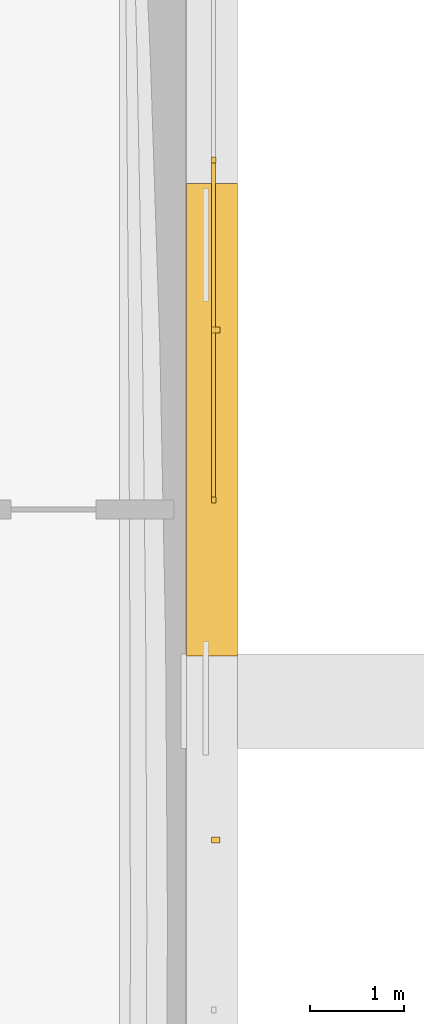
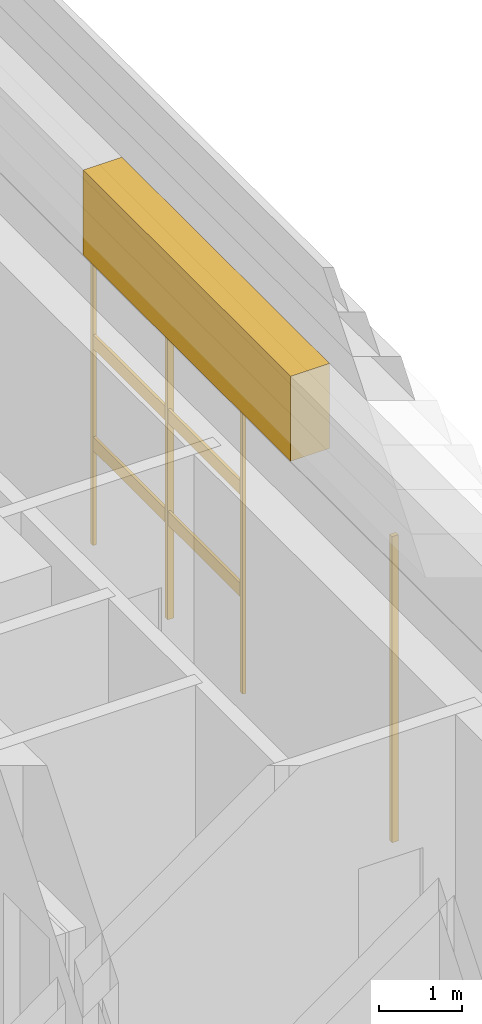
# One storey, part 25 of 29: 7 coverings.
"""IFC4 building model written with IfcOpenShell, lengths in metres."""

from ifc_helpers import new_model, si_unit, direction, frame, origin, origin_2d, place, context, subcontext, project, spatial, polyline, rectangle, outline, extrude, material, type_object, element, save


model = new_model("IFC4")

# Units and contexts
model_context = context("Model", 3, precision=1e-05, world=origin(), true_north=direction((0.0, 1.0)))
body_context = subcontext(model_context, "Body", "Model", "MODEL_VIEW")
ifc_project = project(units=[si_unit("LENGTHUNIT", "METRE"), si_unit("AREAUNIT", "SQUARE_METRE"), si_unit("VOLUMEUNIT", "CUBIC_METRE"), si_unit("PLANEANGLEUNIT", "RADIAN"), si_unit("MASSUNIT", "GRAM", prefix="KILO")], contexts=[model_context])

# Site, building, storey
site_placement = place(None, origin())
site = spatial("IfcSite", under=ifc_project, at=site_placement, CompositionType="ELEMENT")
building_placement = place(site_placement, origin())
building = spatial("IfcBuilding", under=site, at=building_placement, Name="Cobrizo Arcos Hotel Tower", CompositionType="ELEMENT")
storey_placement = place(building_placement, frame((0.0, 0.0, 186.5)))
storey = spatial("IfcBuildingStorey", under=building, at=storey_placement, Name="L48", CompositionType="ELEMENT", Elevation=186.5)

# Coverings
ifc_material = material(Name="Aluminium 6063-T6 anodised pale", Category="aluminium")
covering_type_1 = type_object("IfcCoveringType", Name="LF-1 setback skirt", PredefinedType="CLADDING", material=ifc_material)
covering_placement = place(storey_placement, frame((0.0, 0.0, 4.5)))
element("IfcCovering", 1, at=covering_placement, inside=storey, type_object=covering_type_1, Name="Setback skirt L48", PredefinedType="CLADDING", context=body_context, shape_type="SweptSolid", body=[
    extrude(outline(polyline([(22.14990234375, 2.85009765625), (22.14990234375, 7.85009765625), (21.610107421875, 7.85009765625), (21.610107421875, 2.85009765625), (22.14990234375, 2.85009765625)])), origin(), (0.0, 0.0, 1.0), 1.25),
])
covering_type_2 = type_object("IfcCoveringType", Name="RS-1 rainscreen rib 60x90", PredefinedType="CLADDING", material=ifc_material)
for number, where, z_axis, x_axis, name in (
    (2, (21.919921875, 0.89990234375, 0.0), (0.0, 0.0, 1.0), (0.0, 1.0, 0.0), "Rainscreen rib 66"),
    (3, (21.919921875, 6.300048828125, 0.0), (0.0, 0.0, 1.0), (0.0, 1.0, 0.0), "Rainscreen rib 68"),
):
    element("IfcCovering", number, at=place(storey_placement, frame(where, z_axis=z_axis, x_axis=x_axis)), inside=storey, type_object=covering_type_2, Name=name, PredefinedType="CLADDING", context=body_context, shape_type="SweptSolid", body=[
        extrude(rectangle(XDim=0.06005859375, YDim=0.090087890625, at=origin_2d()), origin(), (0.0, 0.0, 1.0), 4.5),
    ])
covering_type_3 = type_object("IfcCoveringType", Name="RS-2 rainscreen rib 60x50", PredefinedType="CLADDING", material=ifc_material)
for number, where, z_axis, x_axis, name in (
    (4, (21.89990234375, 4.5, 0.0), (0.0, 0.0, 1.0), (0.0, 1.0, 0.0), "Rainscreen rib 67"),
    (5, (21.89990234375, 8.10009765625, 0.0), (0.0, 0.0, 1.0), (0.0, 1.0, 0.0), "Rainscreen rib 69"),
):
    element("IfcCovering", number, at=place(storey_placement, frame(where, z_axis=z_axis, x_axis=x_axis)), inside=storey, type_object=covering_type_3, Name=name, PredefinedType="CLADDING", context=body_context, shape_type="SweptSolid", body=[
        extrude(rectangle(XDim=0.06005859375, YDim=0.050048828125, at=origin_2d()), origin(), (0.0, 0.0, 1.0), 4.5),
    ])
covering_type_4 = type_object("IfcCoveringType", Name="RS-3 rainscreen louvre slat 200x40", PredefinedType="CLADDING", material=ifc_material)
for number, where, z_axis, x_axis, name in (
    (6, (21.89501953125, 6.300048828125, 1.39990234375), (0.0, 0.0, 1.0), (0.0, 1.0, 0.0), "Rainscreen slat 1"),
    (7, (21.89501953125, 6.300048828125, 2.89990234375), (0.0, 0.0, 1.0), (0.0, 1.0, 0.0), "Rainscreen slat 2"),
):
    element("IfcCovering", number, at=place(storey_placement, frame(where, z_axis=z_axis, x_axis=x_axis)), inside=storey, type_object=covering_type_4, Name=name, PredefinedType="CLADDING", context=body_context, shape_type="SweptSolid", body=[
        extrude(rectangle(XDim=3.5400390625, YDim=0.0400390625, at=origin_2d()), origin(), (0.0, 0.0, 1.0), 0.199951171875),
    ])

save(model, "model.ifc")
